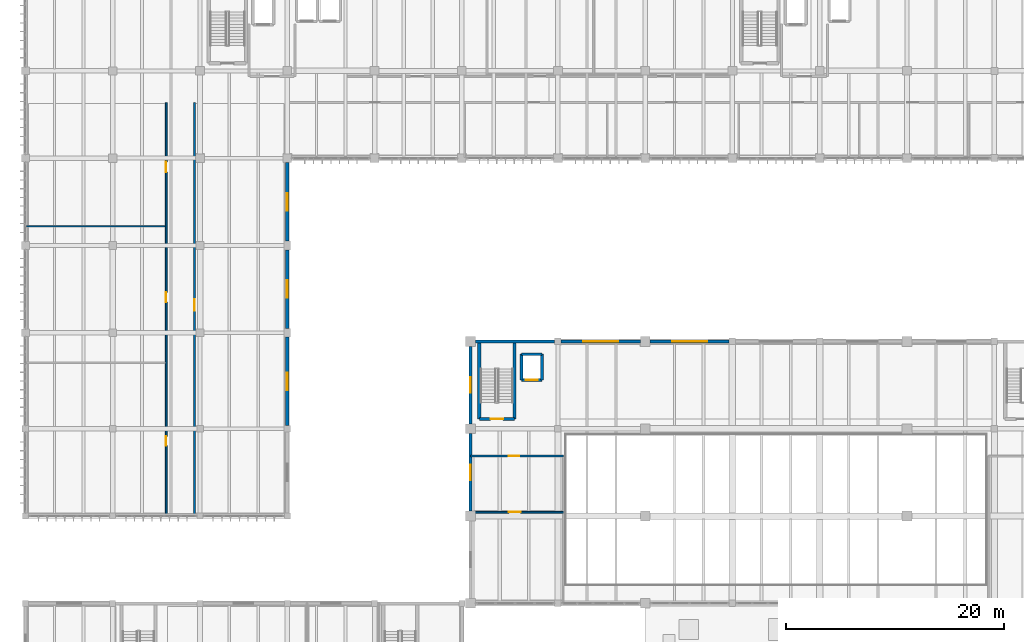
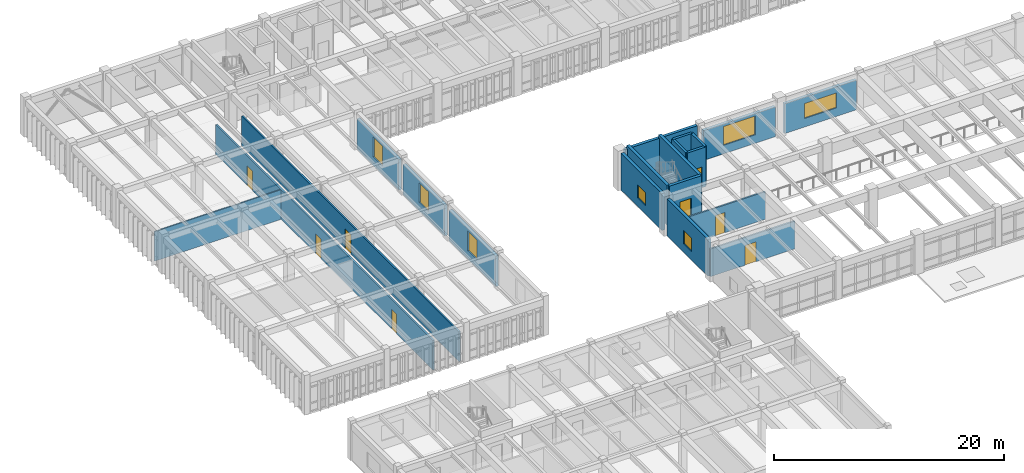
# One storey, part 43 of 67: 20 walls, 8 doors, 7 windows, 15 openings.
"""IFC4 building model written with IfcOpenShell, lengths in metres."""

from ifc_helpers import new_model, si_unit, direction, frame, frame_2d, origin, place, context, subcontext, project, spatial, rectangle, extrude, material, layer, layer_set, type_object, element, fill, save


model = new_model("IFC4")

# Units and contexts
model_context = context("Model", 3, precision=1e-05, world=origin(), true_north=direction((0.0, 1.0)))
body_context = subcontext(model_context, "Body", "Model", "MODEL_VIEW")
ifc_project = project(units=[si_unit("LENGTHUNIT", "METRE"), si_unit("AREAUNIT", "SQUARE_METRE"), si_unit("VOLUMEUNIT", "CUBIC_METRE"), si_unit("PLANEANGLEUNIT", "RADIAN"), si_unit("MASSUNIT", "GRAM", prefix="KILO")], contexts=[model_context])

# Site, building, storey
site_placement = place(None, origin())
site = spatial("IfcSite", under=ifc_project, at=site_placement, CompositionType="ELEMENT")
building_placement = place(site_placement, origin())
building = spatial("IfcBuilding", under=site, at=building_placement, Name="Tlaxcora Railside Police Headquarters", CompositionType="ELEMENT")
storey_placement = place(building_placement, frame((0.0, 0.0, 4.800048828125)))
storey = spatial("IfcBuildingStorey", under=building, at=storey_placement, Name="L01", CompositionType="ELEMENT", Elevation=4.800048828125)

# Wall, opening, door
ifc_material_1 = material(Name="Gypsum acoustic partition board")
ifc_layer_1 = layer(ifc_material_1, 0.159912109375, Name="Gypsum acoustic partition board")
ifc_layer_set_1 = layer_set([ifc_layer_1], Name="Gypsum acoustic partition board")
wall_type_1 = type_object("IfcWallType", Name="Interior Partition Wall IW-73", PredefinedType="PARTITIONING", material=ifc_layer_set_1)
wall_1_placement = place(storey_placement, frame((46.0, 44.35009765625, 0.0), z_axis=(0.0, 0.0, 1.0), x_axis=(1.0, 0.0, 0.0)))
wall_1 = element("IfcWall", 1, at=wall_1_placement, inside=storey, type_object=wall_type_1, Name="V1 L01 interior partition 83", PredefinedType="PARTITIONING", context=body_context, shape_type="SweptSolid", body=[
    extrude(rectangle(XDim=8.5, YDim=0.159912109375, at=frame_2d((4.25, 0.0))), origin(), (0.0, 0.0, 1.0), 2.945068359375),
])
opening_1_placement = place(wall_1_placement, frame((3.5, 0.0, 0.0)))
opening_1 = element("IfcOpeningElement", 2, at=opening_1_placement, cuts=wall_1, Name="Opening D-L01-126", PredefinedType="OPENING", context=body_context, shape_type="SweptSolid", body=[
    extrude(rectangle(XDim=1.10009765625, YDim=2.10009765625, at=frame_2d((0.550048828125, 1.050048828125))), frame((0.0, 0.08984375, 0.0), z_axis=(0.0, -1.0, 0.0), x_axis=(1.0, 0.0, 0.0)), (0.0, 0.0, 1.0), 0.179931640625),
])
ifc_material_2 = material(Name="Steel ASTM A992 Grade 50", Category="steel")
door_type_1 = type_object("IfcDoorType", Name="Swing or Sliding Personnel Door ID-66", OperationType="NOTDEFINED", PredefinedType="DOOR", material=ifc_material_2)
door_1_placement = place(opening_1_placement, origin())
door_1 = element("IfcDoor", 3, at=door_1_placement, inside=storey, type_object=door_type_1, Name="V1 L01 door D-L01-126", OperationType="SINGLE_SWING_LEFT", OverallHeight=2.10009765625, OverallWidth=1.10009765625, PredefinedType="DOOR", context=body_context, shape_type="SweptSolid", body=[
    extrude(rectangle(XDim=1.10009765625, YDim=2.10009765625, at=frame_2d((0.550048828125, 1.050048828125))), frame((0.0, 0.02490234375, 0.0), z_axis=(0.0, -1.0, 0.0), x_axis=(1.0, 0.0, 0.0)), (0.0, 0.0, 1.0), 0.050048828125),
])
fill(opening_1, door_1)

# Wall, openings, doors
wall_2_placement = place(storey_placement, frame((18.10009765625, 44.080078125, 0.0), z_axis=(0.0, 0.0, 1.0), x_axis=(0.0, 1.0, 0.0)))
wall_2 = element("IfcWall", 4, at=wall_2_placement, inside=storey, type_object=wall_type_1, Name="V5 L01 interior partition 116", PredefinedType="PARTITIONING", context=body_context, shape_type="SweptSolid", body=[
    extrude(rectangle(XDim=37.81982421875, YDim=0.159912109375, at=frame_2d((18.909912109375, 0.0))), origin(), (0.0, 0.0, 1.0), 3.14501953125),
])
opening_2_placement = place(wall_2_placement, frame((6.340087890625, 0.0, 0.0)))
opening_2 = element("IfcOpeningElement", 5, at=opening_2_placement, cuts=wall_2, Name="Opening D-L01-154", PredefinedType="OPENING", context=body_context, shape_type="SweptSolid", body=[
    extrude(rectangle(XDim=0.89990234375, YDim=2.10009765625, at=frame_2d((0.449951171875, 1.050048828125))), frame((0.0, 0.08984375, 0.0), z_axis=(0.0, -1.0, 0.0), x_axis=(1.0, 0.0, 0.0)), (0.0, 0.0, 1.0), 0.179931640625),
])
opening_3_placement = place(wall_2_placement, frame((19.5, 0.0, 0.0)))
opening_3 = element("IfcOpeningElement", 6, at=opening_3_placement, cuts=wall_2, Name="Opening D-L01-155", PredefinedType="OPENING", context=body_context, shape_type="SweptSolid", body=[
    extrude(rectangle(XDim=0.919921875, YDim=2.10009765625, at=frame_2d((0.4599609375, 1.050048828125))), frame((0.0, 0.08984375, 0.0), z_axis=(0.0, -1.0, 0.0), x_axis=(1.0, 0.0, 0.0)), (0.0, 0.0, 1.0), 0.179931640625),
])
opening_4_placement = place(wall_2_placement, frame((31.419921875, 0.0, 0.0)))
opening_4 = element("IfcOpeningElement", 7, at=opening_4_placement, cuts=wall_2, Name="Opening D-L01-156", PredefinedType="OPENING", context=body_context, shape_type="SweptSolid", body=[
    extrude(rectangle(XDim=0.949951171875, YDim=2.10009765625, at=frame_2d((0.47509765625, 1.050048828125))), frame((0.0, 0.08984375, 0.0), z_axis=(0.0, -1.0, 0.0), x_axis=(1.0, 0.0, 0.0)), (0.0, 0.0, 1.0), 0.179931640625),
])
door_type_2 = type_object("IfcDoorType", Name="Swing or Sliding Personnel Door ID-33", OperationType="NOTDEFINED", PredefinedType="DOOR", material=ifc_material_2)
door_2_placement = place(opening_2_placement, origin())
door_2 = element("IfcDoor", 8, at=door_2_placement, inside=storey, type_object=door_type_2, Name="V5 L01 door D-L01-154", OperationType="SINGLE_SWING_RIGHT", OverallHeight=2.10009765625, OverallWidth=0.89990234375, PredefinedType="DOOR", context=body_context, shape_type="SweptSolid", body=[
    extrude(rectangle(XDim=0.89990234375, YDim=2.10009765625, at=frame_2d((0.449951171875, 1.050048828125))), frame((0.0, 0.02490234375, 0.0), z_axis=(0.0, -1.0, 0.0), x_axis=(1.0, 0.0, 0.0)), (0.0, 0.0, 1.0), 0.050048828125),
])
fill(opening_2, door_2)
door_type_3 = type_object("IfcDoorType", Name="Swing or Sliding Personnel Door ID-49", OperationType="NOTDEFINED", PredefinedType="DOOR", material=ifc_material_2)
door_3_placement = place(opening_3_placement, origin())
door_3 = element("IfcDoor", 9, at=door_3_placement, inside=storey, type_object=door_type_3, Name="V5 L01 door D-L01-155", OperationType="SINGLE_SWING_LEFT", OverallHeight=2.10009765625, OverallWidth=0.919921875, PredefinedType="DOOR", context=body_context, shape_type="SweptSolid", body=[
    extrude(rectangle(XDim=0.919921875, YDim=2.10009765625, at=frame_2d((0.4599609375, 1.050048828125))), frame((0.0, 0.02490234375, 0.0), z_axis=(0.0, -1.0, 0.0), x_axis=(1.0, 0.0, 0.0)), (0.0, 0.0, 1.0), 0.050048828125),
])
fill(opening_3, door_3)
door_type_4 = type_object("IfcDoorType", Name="Swing or Sliding Personnel Door ID-87", OperationType="NOTDEFINED", PredefinedType="DOOR", material=ifc_material_2)
door_4_placement = place(opening_4_placement, origin())
door_4 = element("IfcDoor", 10, at=door_4_placement, inside=storey, type_object=door_type_4, Name="V5 L01 door D-L01-156", OperationType="SINGLE_SWING_RIGHT", OverallHeight=2.10009765625, OverallWidth=0.949951171875, PredefinedType="DOOR", context=body_context, shape_type="SweptSolid", body=[
    extrude(rectangle(XDim=0.949951171875, YDim=2.10009765625, at=frame_2d((0.47509765625, 1.050048828125))), frame((0.0, 0.02490234375, 0.0), z_axis=(0.0, -1.0, 0.0), x_axis=(1.0, 0.0, 0.0)), (0.0, 0.0, 1.0), 0.050048828125),
])
fill(opening_4, door_4)

# Wall, opening, door
wall_3_placement = place(storey_placement, frame((20.699951171875, 44.080078125, 0.0), z_axis=(0.0, 0.0, 1.0), x_axis=(0.0, 1.0, 0.0)))
wall_3 = element("IfcWall", 11, at=wall_3_placement, inside=storey, type_object=wall_type_1, Name="V5 L01 interior partition 117", PredefinedType="PARTITIONING", context=body_context, shape_type="SweptSolid", body=[
    extrude(rectangle(XDim=37.81982421875, YDim=0.159912109375, at=frame_2d((18.909912109375, 0.0))), origin(), (0.0, 0.0, 1.0), 3.14501953125),
])
opening_5_placement = place(wall_3_placement, frame((18.75, 0.0, 0.0)))
opening_5 = element("IfcOpeningElement", 12, at=opening_5_placement, cuts=wall_3, Name="Opening D-L01-157", PredefinedType="OPENING", context=body_context, shape_type="SweptSolid", body=[
    extrude(rectangle(XDim=1.050048828125, YDim=2.10009765625, at=frame_2d((0.52490234375, 1.050048828125))), frame((0.0, 0.08984375, 0.0), z_axis=(0.0, -1.0, 0.0), x_axis=(1.0, 0.0, 0.0)), (0.0, 0.0, 1.0), 0.179931640625),
])
door_type_5 = type_object("IfcDoorType", Name="Swing or Sliding Personnel Door ID-52", OperationType="NOTDEFINED", PredefinedType="DOOR", material=ifc_material_2)
door_5_placement = place(opening_5_placement, origin())
door_5 = element("IfcDoor", 13, at=door_5_placement, inside=storey, type_object=door_type_5, Name="V5 L01 door D-L01-157", OperationType="SINGLE_SWING_LEFT", OverallHeight=2.10009765625, OverallWidth=1.050048828125, PredefinedType="DOOR", context=body_context, shape_type="SweptSolid", body=[
    extrude(rectangle(XDim=1.050048828125, YDim=2.10009765625, at=frame_2d((0.52490234375, 1.050048828125))), frame((0.0, 0.02490234375, 0.0), z_axis=(0.0, -1.0, 0.0), x_axis=(1.0, 0.0, 0.0)), (0.0, 0.0, 1.0), 0.050048828125),
])
fill(opening_5, door_5)

# Wall
ifc_layer_2 = layer(ifc_material_1, 0.114990234375, Name="Gypsum acoustic partition board")
ifc_layer_set_2 = layer_set([ifc_layer_2], Name="Gypsum acoustic partition board")
wall_type_2 = type_object("IfcWallType", Name="Interior Partition Wall IW-87", PredefinedType="PARTITIONING", material=ifc_layer_set_2)
wall_4_placement = place(storey_placement, frame((5.280029296875, 70.550048828125, 0.0), z_axis=(0.0, 0.0, 1.0), x_axis=(1.0, 0.0, 0.0)))
element("IfcWall", 14, at=wall_4_placement, inside=storey, type_object=wall_type_2, Name="V5 L01 interior partition 115", PredefinedType="PARTITIONING", context=body_context, shape_type="SweptSolid", body=[
    extrude(rectangle(XDim=12.719970703125, YDim=0.114990234375, at=frame_2d((6.35986328125, 0.0))), origin(), (0.0, 0.0, 1.0), 3.14501953125),
])

# Wall, opening, door
ifc_layer_3 = layer(ifc_material_1, 0.14990234375, Name="Gypsum acoustic partition board")
ifc_layer_set_3 = layer_set([ifc_layer_3], Name="Gypsum acoustic partition board")
wall_type_3 = type_object("IfcWallType", Name="Interior Partition Wall IW-91", PredefinedType="PARTITIONING", material=ifc_layer_set_3)
wall_5_placement = place(storey_placement, frame((46.0, 49.5, 0.0), z_axis=(0.0, 0.0, 1.0), x_axis=(1.0, 0.0, 0.0)))
wall_5 = element("IfcWall", 15, at=wall_5_placement, inside=storey, type_object=wall_type_3, Name="V1 L01 interior partition 84", PredefinedType="PARTITIONING", context=body_context, shape_type="SweptSolid", body=[
    extrude(rectangle(XDim=8.5, YDim=0.14990234375, at=frame_2d((4.25, 0.0))), origin(), (0.0, 0.0, 1.0), 2.945068359375),
])
opening_6_placement = place(wall_5_placement, frame((3.5, 0.0, 0.0)))
opening_6 = element("IfcOpeningElement", 16, at=opening_6_placement, cuts=wall_5, Name="Opening D-L01-127", PredefinedType="OPENING", context=body_context, shape_type="SweptSolid", body=[
    extrude(rectangle(XDim=0.949951171875, YDim=2.14990234375, at=frame_2d((0.47509765625, 1.074951171875))), frame((0.0, 0.0849609375, 0.0), z_axis=(0.0, -1.0, 0.0), x_axis=(1.0, 0.0, 0.0)), (0.0, 0.0, 1.0), 0.169921875),
])
door_type_6 = type_object("IfcDoorType", Name="Swing or Sliding Personnel Door ID-31", OperationType="NOTDEFINED", PredefinedType="DOOR", material=ifc_material_2)
door_6_placement = place(opening_6_placement, origin())
door_6 = element("IfcDoor", 17, at=door_6_placement, inside=storey, type_object=door_type_6, Name="V1 L01 door D-L01-127", OperationType="SINGLE_SWING_RIGHT", OverallHeight=2.14990234375, OverallWidth=0.949951171875, PredefinedType="DOOR", context=body_context, shape_type="SweptSolid", body=[
    extrude(rectangle(XDim=0.949951171875, YDim=2.14990234375, at=frame_2d((0.47509765625, 1.074951171875))), frame((0.0, 0.02490234375, 0.0), z_axis=(0.0, -1.0, 0.0), x_axis=(1.0, 0.0, 0.0)), (0.0, 0.0, 1.0), 0.050048828125),
])
fill(opening_6, door_6)

ifc_material_3 = material(Name="Concrete C40/50", Category="concrete")
ifc_layer_4 = layer(ifc_material_3, 0.25, Name="Concrete C40/50")
ifc_layer_set_4 = layer_set([ifc_layer_4], Name="Concrete C40/50")
wall_type_4 = type_object("IfcWallType", Name="Shear Core Wall IW-13", PredefinedType="SHEAR", material=ifc_layer_set_4)
wall_6_placement = place(storey_placement, frame((50.659912109375, 56.4599609375, 0.0), z_axis=(0.0, 0.0, 1.0), x_axis=(1.0, 0.0, 0.0)))
wall_6 = element("IfcWall", 18, at=wall_6_placement, inside=storey, type_object=wall_type_4, Name="Lift PL-04 L01 shaft wall S", PredefinedType="SHEAR", context=body_context, shape_type="SweptSolid", body=[
    extrude(rectangle(XDim=1.880126953125, YDim=0.25, at=frame_2d((0.93994140625, 0.0))), origin(), (0.0, 0.0, 1.0), 4.199951171875),
])
opening_7_placement = place(wall_6_placement, frame((0.389892578125, 0.0, 0.0)))
opening_7 = element("IfcOpeningElement", 19, at=opening_7_placement, cuts=wall_6, Name="Opening LD-PL-04-L01", PredefinedType="OPENING", context=body_context, shape_type="SweptSolid", body=[
    extrude(rectangle(XDim=1.10009765625, YDim=2.199951171875, at=frame_2d((0.550048828125, 1.10009765625))), frame((0.0, 0.135009765625, 0.0), z_axis=(0.0, -1.0, 0.0), x_axis=(1.0, 0.0, 0.0)), (0.0, 0.0, 1.0), 0.27001953125),
])
door_type_7 = type_object("IfcDoorType", Name="Swing or Sliding Personnel Door ID-15", OperationType="NOTDEFINED", PredefinedType="DOOR", material=ifc_material_2)
door_7_placement = place(opening_7_placement, origin())
door_7 = element("IfcDoor", 20, at=door_7_placement, inside=storey, type_object=door_type_7, Name="Lift PL-04 L01 sliding landing door", OperationType="DOUBLE_DOOR_SLIDING", OverallHeight=2.199951171875, OverallWidth=1.10009765625, PredefinedType="DOOR", context=body_context, shape_type="SweptSolid", body=[
    extrude(rectangle(XDim=1.10009765625, YDim=2.199951171875, at=frame_2d((0.550048828125, 1.10009765625))), frame((0.0, 0.02490234375, 0.0), z_axis=(0.0, -1.0, 0.0), x_axis=(1.0, 0.0, 0.0)), (0.0, 0.0, 1.0), 0.050048828125),
])
fill(opening_7, door_7)

# Walls
wall_7_placement = place(storey_placement, frame((52.5400390625, 56.4599609375, 0.0), z_axis=(0.0, 0.0, 1.0), x_axis=(0.0, 1.0, 0.0)))
element("IfcWall", 21, at=wall_7_placement, inside=storey, type_object=wall_type_4, Name="Lift PL-04 L01 shaft wall E", PredefinedType="SHEAR", context=body_context, shape_type="SweptSolid", body=[
    extrude(rectangle(XDim=2.380126953125, YDim=0.25, at=frame_2d((1.18994140625, 0.0))), origin(), (0.0, 0.0, 1.0), 4.199951171875),
])
wall_8_placement = place(storey_placement, frame((52.5400390625, 58.840087890625, 0.0), z_axis=(0.0, 0.0, 1.0), x_axis=(-1.0, 0.0, 0.0)))
element("IfcWall", 22, at=wall_8_placement, inside=storey, type_object=wall_type_4, Name="Lift PL-04 L01 shaft wall N", PredefinedType="SHEAR", context=body_context, shape_type="SweptSolid", body=[
    extrude(rectangle(XDim=1.880126953125, YDim=0.25, at=frame_2d((0.93994140625, 0.0))), origin(), (0.0, 0.0, 1.0), 4.199951171875),
])
wall_9_placement = place(storey_placement, frame((50.659912109375, 58.840087890625, 0.0), z_axis=(0.0, 0.0, 1.0), x_axis=(0.0, -1.0, 0.0)))
element("IfcWall", 23, at=wall_9_placement, inside=storey, type_object=wall_type_4, Name="Lift PL-04 L01 shaft wall W", PredefinedType="SHEAR", context=body_context, shape_type="SweptSolid", body=[
    extrude(rectangle(XDim=2.380126953125, YDim=0.25, at=frame_2d((1.18994140625, 0.0))), origin(), (0.0, 0.0, 1.0), 4.199951171875),
])

# Wall, opening, door
ifc_layer_5 = layer(ifc_material_3, 0.300048828125, Name="Concrete C40/50")
ifc_layer_set_5 = layer_set([ifc_layer_5], Name="Concrete C40/50")
wall_type_5 = type_object("IfcWallType", Name="Shear Core Wall IW-28", PredefinedType="SHEAR", material=ifc_layer_set_5)
wall_10_placement = place(storey_placement, frame((46.800048828125, 52.89990234375, 0.0), z_axis=(0.0, 0.0, 1.0), x_axis=(1.0, 0.0, 0.0)))
wall_10 = element("IfcWall", 24, at=wall_10_placement, inside=storey, type_object=wall_type_5, Name="CORE-C4 L01 stair core wall S", PredefinedType="SHEAR", context=body_context, shape_type="SweptSolid", body=[
    extrude(rectangle(XDim=3.219970703125, YDim=0.300048828125, at=frame_2d((1.60986328125, 0.0))), origin(), (0.0, 0.0, 1.0), 4.199951171875),
])
opening_8_placement = place(wall_10_placement, frame((1.034912109375, 0.0, 0.0)))
opening_8 = element("IfcOpeningElement", 25, at=opening_8_placement, cuts=wall_10, Name="Opening SD-L01-033", PredefinedType="OPENING", context=body_context, shape_type="SweptSolid", body=[
    extrude(rectangle(XDim=1.14990234375, YDim=2.14990234375, at=frame_2d((0.574951171875, 1.074951171875))), frame((0.0, 0.16015625, 0.0), z_axis=(0.0, -1.0, 0.0), x_axis=(1.0, 0.0, 0.0)), (0.0, 0.0, 1.0), 0.320068359375),
])
door_type_8 = type_object("IfcDoorType", Name="Swing or Sliding Personnel Door ID-73", OperationType="NOTDEFINED", PredefinedType="DOOR", material=ifc_material_2)
door_8_placement = place(opening_8_placement, origin())
door_8 = element("IfcDoor", 26, at=door_8_placement, inside=storey, type_object=door_type_8, Name="Stair ST4 L01 enclosure fire door", OperationType="SINGLE_SWING_LEFT", OverallHeight=2.14990234375, OverallWidth=1.14990234375, PredefinedType="DOOR", context=body_context, shape_type="SweptSolid", body=[
    extrude(rectangle(XDim=1.14990234375, YDim=2.14990234375, at=frame_2d((0.574951171875, 1.074951171875))), frame((0.0, 0.02490234375, 0.0), z_axis=(0.0, -1.0, 0.0), x_axis=(1.0, 0.0, 0.0)), (0.0, 0.0, 1.0), 0.050048828125),
])
fill(opening_8, door_8)

# Walls
for number, where, z_axis, x_axis, name in (
    (27, (50.02001953125, 52.89990234375, 0.0), (0.0, 0.0, 1.0), (0.0, 1.0, 0.0), "CORE-C4 L01 stair core wall E"),
    (28, (46.800048828125, 60.0, 0.0), (0.0, 0.0, 1.0), (0.0, -1.0, 0.0), "CORE-C4 L01 stair core wall W"),
):
    element("IfcWall", number, at=place(storey_placement, frame(where, z_axis=z_axis, x_axis=x_axis)), inside=storey, type_object=wall_type_5, Name=name, PredefinedType="SHEAR", context=body_context, shape_type="SweptSolid", body=[
        extrude(rectangle(XDim=7.10009765625, YDim=0.300048828125, at=frame_2d((3.550048828125, 0.0))), origin(), (0.0, 0.0, 1.0), 4.199951171875),
    ])

# Wall, opening, window
ifc_material_4 = material(Name="Pressed clay brick masonry", Category="masonry")
ifc_layer_6 = layer(ifc_material_4, 0.294921875, Name="Pressed clay brick masonry")
ifc_layer_set_6 = layer_set([ifc_layer_6], Name="Pressed clay brick masonry")
wall_type_6 = type_object("IfcWallType", Name="Structural Bearing Wall EW-74", PredefinedType="SOLIDWALL", material=ifc_layer_set_6)
wall_11_placement = place(storey_placement, frame((69.699951171875, 60.0, 0.0), z_axis=(0.0, 0.0, 1.0), x_axis=(-1.0, 0.0, 0.0)))
wall_11 = element("IfcWall", 29, at=wall_11_placement, inside=storey, type_object=wall_type_6, Name="V1 L01 exterior wall 2.4", PredefinedType="SOLIDWALL", context=body_context, shape_type="SweptSolid", body=[
    extrude(rectangle(XDim=7.25, YDim=0.294921875, at=frame_2d((3.625, 0.0))), origin(), (0.0, 0.0, 1.0), 3.159912109375),
])
opening_9_placement = place(wall_11_placement, frame((2.02490234375, 0.0, 0.89990234375)))
opening_9 = element("IfcOpeningElement", 30, at=opening_9_placement, cuts=wall_11, Name="Opening WN-47", PredefinedType="OPENING", context=body_context, shape_type="SweptSolid", body=[
    extrude(rectangle(XDim=3.199951171875, YDim=1.60009765625, at=frame_2d((1.60009765625, 0.800048828125))), frame((0.0, 0.157470703125, 0.0), z_axis=(0.0, -1.0, 0.0), x_axis=(1.0, 0.0, 0.0)), (0.0, 0.0, 1.0), 0.31494140625),
])
ifc_material_5 = material(Name="Thermally broken low-E insulated glazing", Category="glass")
window_type_1 = type_object("IfcWindowType", Name="Exterior Framed or Circular Window WN-47", PartitioningType="SINGLE_PANEL", PredefinedType="WINDOW", material=ifc_material_5)
window_1_placement = place(opening_9_placement, origin())
window_1 = element("IfcWindow", 31, at=window_1_placement, inside=storey, type_object=window_type_1, Name="V1 L01 window 32", OverallHeight=1.60009765625, OverallWidth=3.199951171875, PartitioningType="SINGLE_PANEL", PredefinedType="WINDOW", context=body_context, shape_type="SweptSolid", body=[
    extrude(rectangle(XDim=3.199951171875, YDim=1.60009765625, at=frame_2d((1.60009765625, 0.800048828125))), frame((0.0, 0.030029296875, 0.0), z_axis=(0.0, -1.0, 0.0), x_axis=(1.0, 0.0, 0.0)), (0.0, 0.0, 1.0), 0.06005859375),
])
fill(opening_9, window_1)

wall_12_placement = place(storey_placement, frame((61.550048828125, 60.0, 0.0), z_axis=(0.0, 0.0, 1.0), x_axis=(-1.0, 0.0, 0.0)))
wall_12 = element("IfcWall", 32, at=wall_12_placement, inside=storey, type_object=wall_type_6, Name="V1 L01 exterior wall 2.5", PredefinedType="SOLIDWALL", context=body_context, shape_type="SweptSolid", body=[
    extrude(rectangle(XDim=7.25, YDim=0.294921875, at=frame_2d((3.625, 0.0))), origin(), (0.0, 0.0, 1.0), 3.159912109375),
])
opening_10_placement = place(wall_12_placement, frame((2.02490234375, 0.0, 0.89990234375)))
opening_10 = element("IfcOpeningElement", 33, at=opening_10_placement, cuts=wall_12, Name="Opening WN-64", PredefinedType="OPENING", context=body_context, shape_type="SweptSolid", body=[
    extrude(rectangle(XDim=3.199951171875, YDim=2.0, at=frame_2d((1.60009765625, 1.0))), frame((0.0, 0.157470703125, 0.0), z_axis=(0.0, -1.0, 0.0), x_axis=(1.0, 0.0, 0.0)), (0.0, 0.0, 1.0), 0.31494140625),
])
window_type_2 = type_object("IfcWindowType", Name="Exterior Framed or Circular Window WN-64", PartitioningType="SINGLE_PANEL", PredefinedType="WINDOW", material=ifc_material_5)
window_2_placement = place(opening_10_placement, origin())
window_2 = element("IfcWindow", 34, at=window_2_placement, inside=storey, type_object=window_type_2, Name="V1 L01 window 33", OverallHeight=2.0, OverallWidth=3.199951171875, PartitioningType="SINGLE_PANEL", PredefinedType="WINDOW", context=body_context, shape_type="SweptSolid", body=[
    extrude(rectangle(XDim=3.199951171875, YDim=2.0, at=frame_2d((1.60009765625, 1.0))), frame((0.0, 0.030029296875, 0.0), z_axis=(0.0, -1.0, 0.0), x_axis=(1.0, 0.0, 0.0)), (0.0, 0.0, 1.0), 0.06005859375),
])
fill(opening_10, window_2)

# Wall
wall_13_placement = place(storey_placement, frame((53.699951171875, 60.0, 0.0), z_axis=(0.0, 0.0, 1.0), x_axis=(-1.0, 0.0, 0.0)))
element("IfcWall", 35, at=wall_13_placement, inside=storey, type_object=wall_type_6, Name="V1 L01 exterior wall 2.6", PredefinedType="SOLIDWALL", context=body_context, shape_type="SweptSolid", body=[
    extrude(rectangle(XDim=7.25, YDim=0.294921875, at=frame_2d((3.625, 0.0))), origin(), (0.0, 0.0, 1.0), 3.909912109375),
])

# Wall, opening, window
wall_14_placement = place(storey_placement, frame((46.0, 59.550048828125, 0.0), z_axis=(0.0, 0.0, 1.0), x_axis=(0.0, -1.0, 0.0)))
wall_14 = element("IfcWall", 36, at=wall_14_placement, inside=storey, type_object=wall_type_6, Name="V1 L01 exterior wall 3.0", PredefinedType="SOLIDWALL", context=body_context, shape_type="SweptSolid", body=[
    extrude(rectangle(XDim=7.10009765625, YDim=0.294921875, at=frame_2d((3.550048828125, 0.0))), origin(), (0.0, 0.0, 1.0), 3.909912109375),
])
opening_11_placement = place(wall_14_placement, frame((2.85009765625, 0.0, 0.89990234375)))
opening_11 = element("IfcOpeningElement", 37, at=opening_11_placement, cuts=wall_14, Name="Opening WN-22", PredefinedType="OPENING", context=body_context, shape_type="SweptSolid", body=[
    extrude(rectangle(XDim=1.39990234375, YDim=1.39990234375, at=frame_2d((0.699951171875, 0.699951171875))), frame((0.0, 0.157470703125, 0.0), z_axis=(0.0, -1.0, 0.0), x_axis=(1.0, 0.0, 0.0)), (0.0, 0.0, 1.0), 0.31494140625),
])
window_type_3 = type_object("IfcWindowType", Name="Exterior Framed or Circular Window WN-22", PartitioningType="SINGLE_PANEL", PredefinedType="WINDOW", material=ifc_material_5)
window_3_placement = place(opening_11_placement, origin())
window_3 = element("IfcWindow", 38, at=window_3_placement, inside=storey, type_object=window_type_3, Name="V1 L01 window 34", OverallHeight=1.39990234375, OverallWidth=1.39990234375, PartitioningType="SINGLE_PANEL", PredefinedType="WINDOW", context=body_context, shape_type="SweptSolid", body=[
    extrude(rectangle(XDim=1.39990234375, YDim=1.39990234375, at=frame_2d((0.699951171875, 0.699951171875))), frame((0.0, 0.030029296875, 0.0), z_axis=(0.0, -1.0, 0.0), x_axis=(1.0, 0.0, 0.0)), (0.0, 0.0, 1.0), 0.06005859375),
])
fill(opening_11, window_3)

wall_15_placement = place(storey_placement, frame((46.0, 51.550048828125, 0.0), z_axis=(0.0, 0.0, 1.0), x_axis=(0.0, -1.0, 0.0)))
wall_15 = element("IfcWall", 39, at=wall_15_placement, inside=storey, type_object=wall_type_6, Name="V1 L01 exterior wall 3.1", PredefinedType="SOLIDWALL", context=body_context, shape_type="SweptSolid", body=[
    extrude(rectangle(XDim=7.10009765625, YDim=0.294921875, at=frame_2d((3.550048828125, 0.0))), origin(), (0.0, 0.0, 1.0), 3.909912109375),
])
opening_12_placement = place(wall_15_placement, frame((2.85009765625, 0.0, 0.89990234375)))
opening_12 = element("IfcOpeningElement", 40, at=opening_12_placement, cuts=wall_15, Name="Opening WN-22", PredefinedType="OPENING", context=body_context, shape_type="SweptSolid", body=[
    extrude(rectangle(XDim=1.39990234375, YDim=1.39990234375, at=frame_2d((0.699951171875, 0.699951171875))), frame((0.0, 0.157470703125, 0.0), z_axis=(0.0, -1.0, 0.0), x_axis=(1.0, 0.0, 0.0)), (0.0, 0.0, 1.0), 0.31494140625),
])
window_4_placement = place(opening_12_placement, origin())
window_4 = element("IfcWindow", 41, at=window_4_placement, inside=storey, type_object=window_type_3, Name="V1 L01 window 35", OverallHeight=1.39990234375, OverallWidth=1.39990234375, PartitioningType="SINGLE_PANEL", PredefinedType="WINDOW", context=body_context, shape_type="SweptSolid", body=[
    extrude(rectangle(XDim=1.39990234375, YDim=1.39990234375, at=frame_2d((0.699951171875, 0.699951171875))), frame((0.0, 0.030029296875, 0.0), z_axis=(0.0, -1.0, 0.0), x_axis=(1.0, 0.0, 0.0)), (0.0, 0.0, 1.0), 0.06005859375),
])
fill(opening_12, window_4)

wall_16_placement = place(storey_placement, frame((29.199951171875, 52.300048828125, 0.0), z_axis=(0.0, 0.0, 1.0), x_axis=(0.0, 1.0, 0.0)))
wall_16 = element("IfcWall", 42, at=wall_16_placement, inside=storey, type_object=wall_type_6, Name="V5 L01 exterior wall 1.1", PredefinedType="SOLIDWALL", context=body_context, shape_type="SweptSolid", body=[
    extrude(rectangle(XDim=8.099853515625, YDim=0.294921875, at=frame_2d((4.0498046875, 0.0))), origin(), (0.0, 0.0, 1.0), 3.260009765625),
])
opening_13_placement = place(wall_16_placement, frame((3.25, 0.0, 0.89990234375)))
opening_13 = element("IfcOpeningElement", 43, at=opening_13_placement, cuts=wall_16, Name="Opening WN-54", PredefinedType="OPENING", context=body_context, shape_type="SweptSolid", body=[
    extrude(rectangle(XDim=1.60009765625, YDim=2.10009765625, at=frame_2d((0.800048828125, 1.050048828125))), frame((0.0, 0.157470703125, 0.0), z_axis=(0.0, -1.0, 0.0), x_axis=(1.0, 0.0, 0.0)), (0.0, 0.0, 1.0), 0.31494140625),
])
window_type_4 = type_object("IfcWindowType", Name="Exterior Framed or Circular Window WN-54", PartitioningType="SINGLE_PANEL", PredefinedType="WINDOW", material=ifc_material_5)
window_5_placement = place(opening_13_placement, origin())
window_5 = element("IfcWindow", 44, at=window_5_placement, inside=storey, type_object=window_type_4, Name="V5 L01 window 115", OverallHeight=2.10009765625, OverallWidth=1.60009765625, PartitioningType="SINGLE_PANEL", PredefinedType="WINDOW", context=body_context, shape_type="SweptSolid", body=[
    extrude(rectangle(XDim=1.60009765625, YDim=2.10009765625, at=frame_2d((0.800048828125, 1.050048828125))), frame((0.0, 0.030029296875, 0.0), z_axis=(0.0, -1.0, 0.0), x_axis=(1.0, 0.0, 0.0)), (0.0, 0.0, 1.0), 0.06005859375),
])
fill(opening_13, window_5)

wall_17_placement = place(storey_placement, frame((29.199951171875, 61.199951171875, 0.0), z_axis=(0.0, 0.0, 1.0), x_axis=(0.0, 1.0, 0.0)))
wall_17 = element("IfcWall", 45, at=wall_17_placement, inside=storey, type_object=wall_type_6, Name="V5 L01 exterior wall 1.2", PredefinedType="SOLIDWALL", context=body_context, shape_type="SweptSolid", body=[
    extrude(rectangle(XDim=7.199951171875, YDim=0.294921875, at=frame_2d((3.60009765625, 0.0))), origin(), (0.0, 0.0, 1.0), 3.260009765625),
])
opening_14_placement = place(wall_17_placement, frame((2.800048828125, 0.0, 0.89990234375)))
opening_14 = element("IfcOpeningElement", 46, at=opening_14_placement, cuts=wall_17, Name="Opening WN-54", PredefinedType="OPENING", context=body_context, shape_type="SweptSolid", body=[
    extrude(rectangle(XDim=1.60009765625, YDim=2.10009765625, at=frame_2d((0.800048828125, 1.050048828125))), frame((0.0, 0.157470703125, 0.0), z_axis=(0.0, -1.0, 0.0), x_axis=(1.0, 0.0, 0.0)), (0.0, 0.0, 1.0), 0.31494140625),
])
window_6_placement = place(opening_14_placement, origin())
window_6 = element("IfcWindow", 47, at=window_6_placement, inside=storey, type_object=window_type_4, Name="V5 L01 window 116", OverallHeight=2.10009765625, OverallWidth=1.60009765625, PartitioningType="SINGLE_PANEL", PredefinedType="WINDOW", context=body_context, shape_type="SweptSolid", body=[
    extrude(rectangle(XDim=1.60009765625, YDim=2.10009765625, at=frame_2d((0.800048828125, 1.050048828125))), frame((0.0, 0.030029296875, 0.0), z_axis=(0.0, -1.0, 0.0), x_axis=(1.0, 0.0, 0.0)), (0.0, 0.0, 1.0), 0.06005859375),
])
fill(opening_14, window_6)

wall_18_placement = place(storey_placement, frame((29.199951171875, 69.199951171875, 0.0), z_axis=(0.0, 0.0, 1.0), x_axis=(0.0, 1.0, 0.0)))
wall_18 = element("IfcWall", 48, at=wall_18_placement, inside=storey, type_object=wall_type_6, Name="V5 L01 exterior wall 1.3", PredefinedType="SOLIDWALL", context=body_context, shape_type="SweptSolid", body=[
    extrude(rectangle(XDim=7.199951171875, YDim=0.294921875, at=frame_2d((3.60009765625, 0.0))), origin(), (0.0, 0.0, 1.0), 3.260009765625),
])
opening_15_placement = place(wall_18_placement, frame((2.800048828125, 0.0, 0.89990234375)))
opening_15 = element("IfcOpeningElement", 49, at=opening_15_placement, cuts=wall_18, Name="Opening WN-54", PredefinedType="OPENING", context=body_context, shape_type="SweptSolid", body=[
    extrude(rectangle(XDim=1.60009765625, YDim=2.10009765625, at=frame_2d((0.800048828125, 1.050048828125))), frame((0.0, 0.157470703125, 0.0), z_axis=(0.0, -1.0, 0.0), x_axis=(1.0, 0.0, 0.0)), (0.0, 0.0, 1.0), 0.31494140625),
])
window_7_placement = place(opening_15_placement, origin())
window_7 = element("IfcWindow", 50, at=window_7_placement, inside=storey, type_object=window_type_4, Name="V5 L01 window 117", OverallHeight=2.10009765625, OverallWidth=1.60009765625, PartitioningType="SINGLE_PANEL", PredefinedType="WINDOW", context=body_context, shape_type="SweptSolid", body=[
    extrude(rectangle(XDim=1.60009765625, YDim=2.10009765625, at=frame_2d((0.800048828125, 1.050048828125))), frame((0.0, 0.030029296875, 0.0), z_axis=(0.0, -1.0, 0.0), x_axis=(1.0, 0.0, 0.0)), (0.0, 0.0, 1.0), 0.06005859375),
])
fill(opening_15, window_7)

save(model, "model.ifc")
